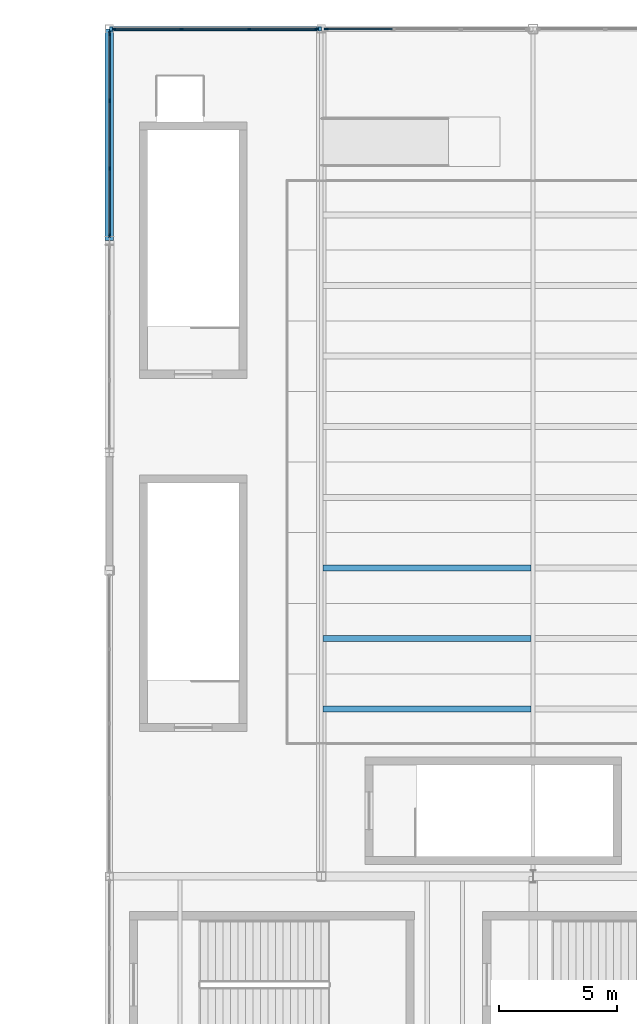
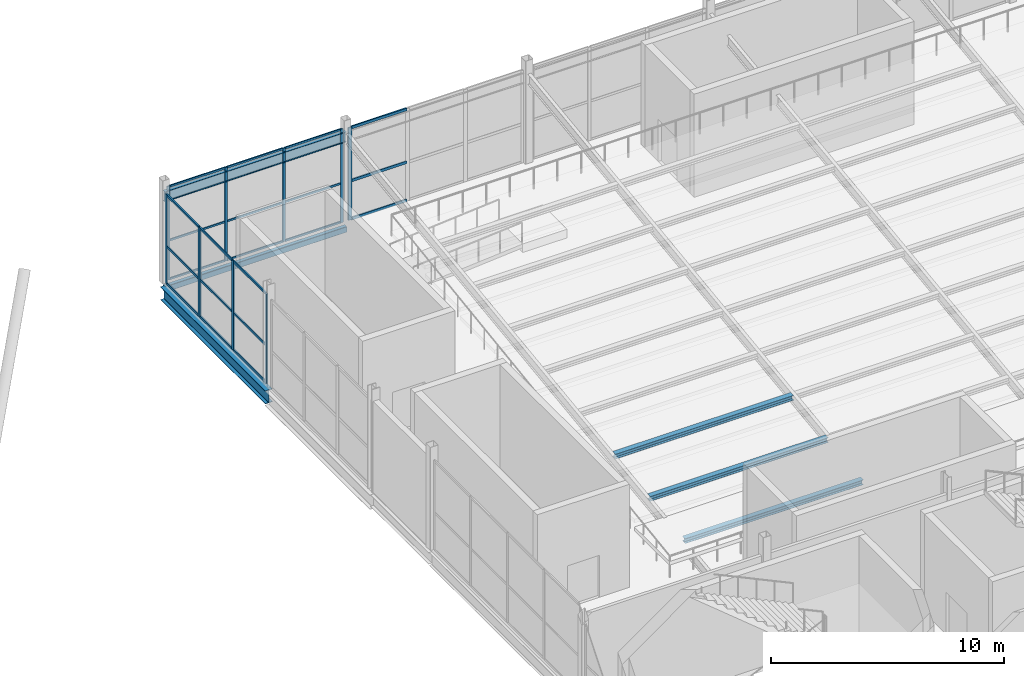
# One storey, part 60 of 119: 30 members, 6 beams, 3 elements without a shape of their own.
"""IFC4 building model written with IfcOpenShell, lengths in metres."""

from ifc_helpers import new_model, si_unit, direction, frame, origin, origin_2d, place, context, subcontext, project, spatial, rectangle, hollow_rectangle, i_section, extrude, material, layer, layer_set, material_profile, profile_set, type_object, element, aggregate, save


model = new_model("IFC4")

# Units and contexts
model_context = context("Model", 3, precision=1e-05, world=origin(), true_north=direction((0.0, 1.0)))
body_context = subcontext(model_context, "Body", "Model", "MODEL_VIEW")
ifc_project = project(units=[si_unit("LENGTHUNIT", "METRE"), si_unit("AREAUNIT", "SQUARE_METRE"), si_unit("VOLUMEUNIT", "CUBIC_METRE"), si_unit("PLANEANGLEUNIT", "RADIAN"), si_unit("MASSUNIT", "GRAM", prefix="KILO")], contexts=[model_context])

# Site, building, storey
site_placement = place(None, origin())
site = spatial("IfcSite", under=ifc_project, at=site_placement, CompositionType="ELEMENT")
building_placement = place(site_placement, origin())
building = spatial("IfcBuilding", under=site, at=building_placement, Name="Qamarlyn Nura Convention Centre", CompositionType="ELEMENT")
storey_placement = place(building_placement, frame((0.0, 0.0, 5.39990234375)))
storey = spatial("IfcBuildingStorey", under=building, at=storey_placement, Name="L01", CompositionType="ELEMENT", Elevation=5.39990234375)

# Beams
ifc_material_1 = material(Name="Steel ASTM A992", Category="steel")
ifc_material_profile_1 = material_profile(ifc_material_1, i_section(OverallWidth=0.35498046875, OverallDepth=0.695068359375, WebThickness=0.015380859375, FlangeThickness=0.02490234375, FilletRadius=0.01806640625, at=origin_2d()), Name="W690X217")
ifc_profile_set_1 = profile_set([ifc_material_profile_1], Name="Steel ASTM A992")
beam_type_1 = type_object("IfcBeamType", Name="BM-GIRD-690A", PredefinedType="BEAM", material=ifc_profile_set_1)
beam_1_placement = place(storey_placement, frame((144.0, 117.0, -0.58740234375), z_axis=(0.0, 1.0, 0.0), x_axis=(-1.0, 0.0, 0.0)))
element("IfcBeam", 1, at=beam_1_placement, inside=storey, type_object=beam_type_1, Name="L01 girder 12 P-Q", PredefinedType="BEAM", context=body_context, shape_type="SweptSolid", body=[
    extrude(i_section(OverallWidth=0.35498046875, OverallDepth=0.695068359375, WebThickness=0.015380859375, FlangeThickness=0.02490234375, FilletRadius=0.01806640625, at=origin_2d()), origin(), (0.0, 0.0, 1.0), 9.0),
])
ifc_material_profile_2 = material_profile(ifc_material_1, i_section(OverallWidth=0.25390625, OverallDepth=0.2529296875, WebThickness=0.008544921875, FlangeThickness=0.01416015625, FilletRadius=0.012939453125, at=origin_2d()), Name="W250X73")
ifc_profile_set_2 = profile_set([ifc_material_profile_2], Name="Steel ASTM A992")
beam_type_2 = type_object("IfcBeamType", Name="BM-PURL-250", PredefinedType="BEAM", material=ifc_profile_set_2)
for number, where, z_axis, x_axis, name in (
    (2, (153.0830078125, 97.10009765625, 0.77685546875), (1.0, 0.0, 0.0), (0.0, 1.0, 0.0), "Plenary tier cross beam 1-153"),
    (3, (153.0830078125, 100.10009765625, 1.172607421875), (1.0, 0.0, 0.0), (0.0, 1.0, 0.0), "Plenary tier cross beam 2-153"),
    (4, (153.0830078125, 103.10009765625, 1.568603515625), (1.0, 0.0, 0.0), (0.0, 1.0, 0.0), "Plenary tier cross beam 3-153"),
):
    element("IfcBeam", number, at=place(storey_placement, frame(where, z_axis=z_axis, x_axis=x_axis)), inside=storey, type_object=beam_type_2, Name=name, PredefinedType="BEAM", context=body_context, shape_type="SweptSolid", body=[
        extrude(i_section(OverallWidth=0.25390625, OverallDepth=0.2529296875, WebThickness=0.008544921875, FlangeThickness=0.01416015625, FilletRadius=0.012939453125, at=origin_2d()), origin(), (0.0, 0.0, 1.0), 8.833984375),
    ])
ifc_material_profile_3 = material_profile(ifc_material_1, i_section(OverallWidth=0.166015625, OverallDepth=0.534912109375, WebThickness=0.01025390625, FlangeThickness=0.0166015625, FilletRadius=0.013916015625, at=origin_2d()), Name="W530X85")
ifc_profile_set_3 = profile_set([ifc_material_profile_3], Name="Steel ASTM A992")
beam_type_3 = type_object("IfcBeamType", Name="BM-RAKER-01", PredefinedType="BEAM", material=ifc_profile_set_3)
beam_2_placement = place(storey_placement, frame((144.0, 126.0, 4.4501953125), z_axis=(1.0, 0.0, 0.0), x_axis=(0.0, 1.0, 0.0)))
element("IfcBeam", 5, at=beam_2_placement, inside=storey, type_object=beam_type_3, Name="Plenary stand rear header girder 144-153", PredefinedType="BEAM", context=body_context, shape_type="SweptSolid", body=[
    extrude(i_section(OverallWidth=0.166015625, OverallDepth=0.534912109375, WebThickness=0.01025390625, FlangeThickness=0.0166015625, FilletRadius=0.013916015625, at=origin_2d()), origin(), (0.0, 0.0, 1.0), 9.0),
])
ifc_material_2 = material(Name="Steel ASTM A500 Grade C", Category="steel")
ifc_material_profile_4 = material_profile(ifc_material_2, hollow_rectangle(XDim=0.199951171875, YDim=0.300048828125, WallThickness=0.012451171875, InnerFilletRadius=0.012451171875, OuterFilletRadius=0.02490234375, at=origin_2d()), Name="HSS300X200X12.5")
ifc_profile_set_4 = profile_set([ifc_material_profile_4], Name="Steel ASTM A500 Grade C")
beam_type_4 = type_object("IfcBeamType", Name="BM-SPAN-HSS", PredefinedType="SPANDREL", material=ifc_profile_set_4)
beam_3_placement = place(storey_placement, frame((144.0, 126.0, -0.389892578125), z_axis=(1.0, 0.0, 0.0), x_axis=(0.0, 1.0, 0.0)))
element("IfcBeam", 6, at=beam_3_placement, inside=storey, type_object=beam_type_4, Name="L01 girder Q 12-13", PredefinedType="SPANDREL", context=body_context, shape_type="SweptSolid", body=[
    extrude(hollow_rectangle(XDim=0.199951171875, YDim=0.300048828125, WallThickness=0.012451171875, InnerFilletRadius=0.012451171875, OuterFilletRadius=0.02490234375, at=origin_2d()), origin(), (0.0, 0.0, 1.0), 9.0),
])

# Curtain wall, members
ifc_material_3 = material(Name="Double-silver low-E insulated glass", Category="glass")
ifc_layer_1 = layer(ifc_material_3, 0.179931640625, Name="CW-UNIT-87")
ifc_layer_set_1 = layer_set([ifc_layer_1], Name="Double-silver low-E insulated glass")
curtain_wall_type_1 = type_object("IfcCurtainWallType", Name="CW-UNIT-87", PredefinedType="NOTDEFINED", material=ifc_layer_set_1)
curtain_wall_1_placement = place(storey_placement, origin())
curtain_wall_1 = element("IfcCurtainWall", 7, at=curtain_wall_1_placement, inside=storey, type_object=curtain_wall_type_1, Name="L01 unitised curtain wall PLN-N1-1", PredefinedType="NOTDEFINED")
ifc_material_4 = material(Name="Champagne-anodised marine aluminium", Category="aluminium")
ifc_material_profile_5 = material_profile(ifc_material_4, rectangle(XDim=0.06005859375, YDim=0.139892578125, at=origin_2d()), Name="ALU MULLION 60x140")
ifc_profile_set_5 = profile_set([ifc_material_profile_5], Name="Champagne-anodised marine aluminium")
member_type_1 = type_object("IfcMemberType", Name="CWM-140", PredefinedType="MULLION", material=ifc_profile_set_5)
member_1_placement = place(storey_placement, frame((144.205078125, 126.0, 0.0), z_axis=(0.0, 0.0, 1.0), x_axis=(0.0, 1.0, 0.0)))
member_1 = element("IfcMember", 8, at=member_1_placement, type_object=member_type_1, Name="CW87 mullion 1", PredefinedType="MULLION", context=body_context, shape_type="SweptSolid", body=[
    extrude(rectangle(XDim=0.06005859375, YDim=0.139892578125, at=origin_2d()), origin(), (0.0, 0.0, 1.0), 4.91015625),
])
member_2_placement = place(storey_placement, frame((147.058349609375, 126.0, 0.0), z_axis=(0.0, 0.0, 1.0), x_axis=(0.0, 1.0, 0.0)))
member_2 = element("IfcMember", 9, at=member_2_placement, type_object=member_type_1, Name="CW87 mullion 2", PredefinedType="MULLION", context=body_context, shape_type="SweptSolid", body=[
    extrude(rectangle(XDim=0.06005859375, YDim=0.139892578125, at=origin_2d()), origin(), (0.0, 0.0, 1.0), 4.91015625),
])
member_3_placement = place(storey_placement, frame((149.941650390625, 126.0, 0.0), z_axis=(0.0, 0.0, 1.0), x_axis=(0.0, 1.0, 0.0)))
member_3 = element("IfcMember", 10, at=member_3_placement, type_object=member_type_1, Name="CW87 mullion 3", PredefinedType="MULLION", context=body_context, shape_type="SweptSolid", body=[
    extrude(rectangle(XDim=0.06005859375, YDim=0.139892578125, at=origin_2d()), origin(), (0.0, 0.0, 1.0), 4.91015625),
])
member_4_placement = place(storey_placement, frame((152.794921875, 126.0, 0.0), z_axis=(0.0, 0.0, 1.0), x_axis=(0.0, 1.0, 0.0)))
member_4 = element("IfcMember", 11, at=member_4_placement, type_object=member_type_1, Name="CW87 mullion 4", PredefinedType="MULLION", context=body_context, shape_type="SweptSolid", body=[
    extrude(rectangle(XDim=0.06005859375, YDim=0.139892578125, at=origin_2d()), origin(), (0.0, 0.0, 1.0), 4.91015625),
])

ifc_layer_2 = layer(ifc_material_3, 0.179931640625, Name="CW-UNIT-86")
ifc_layer_set_2 = layer_set([ifc_layer_2], Name="Double-silver low-E insulated glass")
curtain_wall_type_2 = type_object("IfcCurtainWallType", Name="CW-UNIT-86", PredefinedType="NOTDEFINED", material=ifc_layer_set_2)
curtain_wall_2_placement = place(storey_placement, origin())
curtain_wall_2 = element("IfcCurtainWall", 12, at=curtain_wall_2_placement, inside=storey, type_object=curtain_wall_type_2, Name="L01 unitised curtain wall PLW-117-1", PredefinedType="NOTDEFINED")
ifc_material_profile_6 = material_profile(ifc_material_4, rectangle(XDim=0.06494140625, YDim=0.159912109375, at=origin_2d()), Name="ALU MULLION 65x160")
ifc_profile_set_6 = profile_set([ifc_material_profile_6], Name="Champagne-anodised marine aluminium")
member_type_2 = type_object("IfcMemberType", Name="CWM-160", PredefinedType="MULLION", material=ifc_profile_set_6)
member_5_placement = place(storey_placement, frame((144.0, 117.218505859375, 0.0), z_axis=(0.0, 0.0, 1.0), x_axis=(-1.0, 0.0, 0.0)))
member_5 = element("IfcMember", 13, at=member_5_placement, type_object=member_type_2, Name="CW86 mullion 1", PredefinedType="MULLION", context=body_context, shape_type="SweptSolid", body=[
    extrude(rectangle(XDim=0.06494140625, YDim=0.159912109375, at=origin_2d()), origin(), (0.0, 0.0, 1.0), 4.690185546875),
])
member_6_placement = place(storey_placement, frame((144.0, 120.065673828125, 0.0), z_axis=(0.0, 0.0, 1.0), x_axis=(-1.0, 0.0, 0.0)))
member_6 = element("IfcMember", 14, at=member_6_placement, type_object=member_type_2, Name="CW86 mullion 2", PredefinedType="MULLION", context=body_context, shape_type="SweptSolid", body=[
    extrude(rectangle(XDim=0.06494140625, YDim=0.159912109375, at=origin_2d()), origin(), (0.0, 0.0, 1.0), 4.690185546875),
])
member_7_placement = place(storey_placement, frame((144.0, 122.9453125, 0.0), z_axis=(0.0, 0.0, 1.0), x_axis=(-1.0, 0.0, 0.0)))
member_7 = element("IfcMember", 15, at=member_7_placement, type_object=member_type_2, Name="CW86 mullion 3", PredefinedType="MULLION", context=body_context, shape_type="SweptSolid", body=[
    extrude(rectangle(XDim=0.06494140625, YDim=0.159912109375, at=origin_2d()), origin(), (0.0, 0.0, 1.0), 4.690185546875),
])
member_8_placement = place(storey_placement, frame((144.0, 125.79248046875, 0.0), z_axis=(0.0, 0.0, 1.0), x_axis=(-1.0, 0.0, 0.0)))
member_8 = element("IfcMember", 16, at=member_8_placement, type_object=member_type_2, Name="CW86 mullion 4", PredefinedType="MULLION", context=body_context, shape_type="SweptSolid", body=[
    extrude(rectangle(XDim=0.06494140625, YDim=0.159912109375, at=origin_2d()), origin(), (0.0, 0.0, 1.0), 4.690185546875),
])

# Curtain wall, member
ifc_layer_3 = layer(ifc_material_3, 0.179931640625, Name="CW-UNIT-75")
ifc_layer_set_3 = layer_set([ifc_layer_3], Name="Double-silver low-E insulated glass")
curtain_wall_type_3 = type_object("IfcCurtainWallType", Name="CW-UNIT-75", PredefinedType="NOTDEFINED", material=ifc_layer_set_3)
curtain_wall_3_placement = place(storey_placement, origin())
curtain_wall_3 = element("IfcCurtainWall", 17, at=curtain_wall_3_placement, inside=storey, type_object=curtain_wall_type_3, Name="L01 unitised curtain wall PLN-N2-1", PredefinedType="NOTDEFINED")
ifc_material_profile_7 = material_profile(ifc_material_4, rectangle(XDim=0.070068359375, YDim=0.179931640625, at=origin_2d()), Name="ALU MULLION 70x180")
ifc_profile_set_7 = profile_set([ifc_material_profile_7], Name="Champagne-anodised marine aluminium")
member_type_3 = type_object("IfcMemberType", Name="CWM-180", PredefinedType="MULLION", material=ifc_profile_set_7)
member_9_placement = place(storey_placement, frame((153.2099609375, 126.0, 0.0), z_axis=(0.0, 0.0, 1.0), x_axis=(0.0, 1.0, 0.0)))
member_9 = element("IfcMember", 18, at=member_9_placement, type_object=member_type_3, Name="CW75 mullion 1", PredefinedType="MULLION", context=body_context, shape_type="SweptSolid", body=[
    extrude(rectangle(XDim=0.070068359375, YDim=0.179931640625, at=origin_2d()), origin(), (0.0, 0.0, 1.0), 4.84619140625),
])

# Member
ifc_material_profile_8 = material_profile(ifc_material_4, rectangle(XDim=0.06005859375, YDim=0.10009765625, at=origin_2d()), Name="ALU TRANSOM 60x100")
ifc_profile_set_8 = profile_set([ifc_material_profile_8], Name="Champagne-anodised marine aluminium")
member_type_4 = type_object("IfcMemberType", Name="CWT-100", PredefinedType="USERDEFINED", material=ifc_profile_set_8)
member_10_placement = place(storey_placement, frame((144.235107421875, 126.0, 0.030029296875), z_axis=(1.0, 0.0, 0.0), x_axis=(0.0, 1.0, 0.0)))
member_10 = element("IfcMember", 19, at=member_10_placement, type_object=member_type_4, Name="CW87 transom 1.1", ObjectType="TRANSOM", PredefinedType="USERDEFINED", context=body_context, shape_type="SweptSolid", body=[
    extrude(rectangle(XDim=0.06005859375, YDim=0.10009765625, at=origin_2d()), origin(), (0.0, 0.0, 1.0), 2.793212890625),
])

member_11_placement = place(storey_placement, frame((144.235107421875, 126.0, 2.06201171875), z_axis=(1.0, 0.0, 0.0), x_axis=(0.0, 1.0, 0.0)))
member_11 = element("IfcMember", 20, at=member_11_placement, type_object=member_type_4, Name="CW87 transom 1.2", ObjectType="TRANSOM", PredefinedType="USERDEFINED", context=body_context, shape_type="SweptSolid", body=[
    extrude(rectangle(XDim=0.06005859375, YDim=0.10009765625, at=origin_2d()), origin(), (0.0, 0.0, 1.0), 2.793212890625),
])

member_12_placement = place(storey_placement, frame((144.235107421875, 126.0, 4.880126953125), z_axis=(1.0, 0.0, 0.0), x_axis=(0.0, 1.0, 0.0)))
member_12 = element("IfcMember", 21, at=member_12_placement, type_object=member_type_4, Name="CW87 transom 1.3", ObjectType="TRANSOM", PredefinedType="USERDEFINED", context=body_context, shape_type="SweptSolid", body=[
    extrude(rectangle(XDim=0.06005859375, YDim=0.10009765625, at=origin_2d()), origin(), (0.0, 0.0, 1.0), 2.793212890625),
])

member_13_placement = place(storey_placement, frame((147.08837890625, 126.0, 0.030029296875), z_axis=(1.0, 0.0, 0.0), x_axis=(0.0, 1.0, 0.0)))
member_13 = element("IfcMember", 22, at=member_13_placement, type_object=member_type_4, Name="CW87 transom 2.1", ObjectType="TRANSOM", PredefinedType="USERDEFINED", context=body_context, shape_type="SweptSolid", body=[
    extrude(rectangle(XDim=0.06005859375, YDim=0.10009765625, at=origin_2d()), origin(), (0.0, 0.0, 1.0), 2.8232421875),
])

member_14_placement = place(storey_placement, frame((147.08837890625, 126.0, 2.06201171875), z_axis=(1.0, 0.0, 0.0), x_axis=(0.0, 1.0, 0.0)))
member_14 = element("IfcMember", 23, at=member_14_placement, type_object=member_type_4, Name="CW87 transom 2.2", ObjectType="TRANSOM", PredefinedType="USERDEFINED", context=body_context, shape_type="SweptSolid", body=[
    extrude(rectangle(XDim=0.06005859375, YDim=0.10009765625, at=origin_2d()), origin(), (0.0, 0.0, 1.0), 2.8232421875),
])

member_15_placement = place(storey_placement, frame((147.08837890625, 126.0, 4.880126953125), z_axis=(1.0, 0.0, 0.0), x_axis=(0.0, 1.0, 0.0)))
member_15 = element("IfcMember", 24, at=member_15_placement, type_object=member_type_4, Name="CW87 transom 2.3", ObjectType="TRANSOM", PredefinedType="USERDEFINED", context=body_context, shape_type="SweptSolid", body=[
    extrude(rectangle(XDim=0.06005859375, YDim=0.10009765625, at=origin_2d()), origin(), (0.0, 0.0, 1.0), 2.8232421875),
])

member_16_placement = place(storey_placement, frame((149.9716796875, 126.0, 0.030029296875), z_axis=(1.0, 0.0, 0.0), x_axis=(0.0, 1.0, 0.0)))
member_16 = element("IfcMember", 25, at=member_16_placement, type_object=member_type_4, Name="CW87 transom 3.1", ObjectType="TRANSOM", PredefinedType="USERDEFINED", context=body_context, shape_type="SweptSolid", body=[
    extrude(rectangle(XDim=0.06005859375, YDim=0.10009765625, at=origin_2d()), origin(), (0.0, 0.0, 1.0), 2.793212890625),
])

member_17_placement = place(storey_placement, frame((149.9716796875, 126.0, 2.06201171875), z_axis=(1.0, 0.0, 0.0), x_axis=(0.0, 1.0, 0.0)))
member_17 = element("IfcMember", 26, at=member_17_placement, type_object=member_type_4, Name="CW87 transom 3.2", ObjectType="TRANSOM", PredefinedType="USERDEFINED", context=body_context, shape_type="SweptSolid", body=[
    extrude(rectangle(XDim=0.06005859375, YDim=0.10009765625, at=origin_2d()), origin(), (0.0, 0.0, 1.0), 2.793212890625),
])

member_18_placement = place(storey_placement, frame((149.9716796875, 126.0, 4.880126953125), z_axis=(1.0, 0.0, 0.0), x_axis=(0.0, 1.0, 0.0)))
member_18 = element("IfcMember", 27, at=member_18_placement, type_object=member_type_4, Name="CW87 transom 3.3", ObjectType="TRANSOM", PredefinedType="USERDEFINED", context=body_context, shape_type="SweptSolid", body=[
    extrude(rectangle(XDim=0.06005859375, YDim=0.10009765625, at=origin_2d()), origin(), (0.0, 0.0, 1.0), 2.793212890625),
])

aggregate(curtain_wall_1, [member_1, member_2, member_3, member_4, member_10, member_11, member_12, member_13, member_14, member_15, member_16, member_17, member_18])

ifc_material_profile_9 = material_profile(ifc_material_4, rectangle(XDim=0.06494140625, YDim=0.1201171875, at=origin_2d()), Name="ALU TRANSOM 65x120")
ifc_profile_set_9 = profile_set([ifc_material_profile_9], Name="Champagne-anodised marine aluminium")
member_type_5 = type_object("IfcMemberType", Name="CWT-120", PredefinedType="USERDEFINED", material=ifc_profile_set_9)
member_19_placement = place(storey_placement, frame((144.0, 117.2509765625, 0.03271484375), z_axis=(0.0, 1.0, 0.0), x_axis=(-1.0, 0.0, 0.0)))
member_19 = element("IfcMember", 28, at=member_19_placement, type_object=member_type_5, Name="CW86 transom 1.1", ObjectType="TRANSOM", PredefinedType="USERDEFINED", context=body_context, shape_type="SweptSolid", body=[
    extrude(rectangle(XDim=0.06494140625, YDim=0.1201171875, at=origin_2d()), origin(), (0.0, 0.0, 1.0), 2.7822265625),
])

member_20_placement = place(storey_placement, frame((144.0, 117.2509765625, 1.97021484375), z_axis=(0.0, 1.0, 0.0), x_axis=(-1.0, 0.0, 0.0)))
member_20 = element("IfcMember", 29, at=member_20_placement, type_object=member_type_5, Name="CW86 transom 1.2", ObjectType="TRANSOM", PredefinedType="USERDEFINED", context=body_context, shape_type="SweptSolid", body=[
    extrude(rectangle(XDim=0.06494140625, YDim=0.1201171875, at=origin_2d()), origin(), (0.0, 0.0, 1.0), 2.7822265625),
])

member_21_placement = place(storey_placement, frame((144.0, 117.2509765625, 4.65771484375), z_axis=(0.0, 1.0, 0.0), x_axis=(-1.0, 0.0, 0.0)))
member_21 = element("IfcMember", 30, at=member_21_placement, type_object=member_type_5, Name="CW86 transom 1.3", ObjectType="TRANSOM", PredefinedType="USERDEFINED", context=body_context, shape_type="SweptSolid", body=[
    extrude(rectangle(XDim=0.06494140625, YDim=0.1201171875, at=origin_2d()), origin(), (0.0, 0.0, 1.0), 2.7822265625),
])

member_22_placement = place(storey_placement, frame((144.0, 120.09814453125, 0.03271484375), z_axis=(0.0, 1.0, 0.0), x_axis=(-1.0, 0.0, 0.0)))
member_22 = element("IfcMember", 31, at=member_22_placement, type_object=member_type_5, Name="CW86 transom 2.1", ObjectType="TRANSOM", PredefinedType="USERDEFINED", context=body_context, shape_type="SweptSolid", body=[
    extrude(rectangle(XDim=0.06494140625, YDim=0.1201171875, at=origin_2d()), origin(), (0.0, 0.0, 1.0), 2.814697265625),
])

member_23_placement = place(storey_placement, frame((144.0, 120.09814453125, 1.97021484375), z_axis=(0.0, 1.0, 0.0), x_axis=(-1.0, 0.0, 0.0)))
member_23 = element("IfcMember", 32, at=member_23_placement, type_object=member_type_5, Name="CW86 transom 2.2", ObjectType="TRANSOM", PredefinedType="USERDEFINED", context=body_context, shape_type="SweptSolid", body=[
    extrude(rectangle(XDim=0.06494140625, YDim=0.1201171875, at=origin_2d()), origin(), (0.0, 0.0, 1.0), 2.814697265625),
])

member_24_placement = place(storey_placement, frame((144.0, 120.09814453125, 4.65771484375), z_axis=(0.0, 1.0, 0.0), x_axis=(-1.0, 0.0, 0.0)))
member_24 = element("IfcMember", 33, at=member_24_placement, type_object=member_type_5, Name="CW86 transom 2.3", ObjectType="TRANSOM", PredefinedType="USERDEFINED", context=body_context, shape_type="SweptSolid", body=[
    extrude(rectangle(XDim=0.06494140625, YDim=0.1201171875, at=origin_2d()), origin(), (0.0, 0.0, 1.0), 2.814697265625),
])

member_25_placement = place(storey_placement, frame((144.0, 122.977783203125, 0.03271484375), z_axis=(0.0, 1.0, 0.0), x_axis=(-1.0, 0.0, 0.0)))
member_25 = element("IfcMember", 34, at=member_25_placement, type_object=member_type_5, Name="CW86 transom 3.1", ObjectType="TRANSOM", PredefinedType="USERDEFINED", context=body_context, shape_type="SweptSolid", body=[
    extrude(rectangle(XDim=0.06494140625, YDim=0.1201171875, at=origin_2d()), origin(), (0.0, 0.0, 1.0), 2.7822265625),
])

member_26_placement = place(storey_placement, frame((144.0, 122.977783203125, 1.97021484375), z_axis=(0.0, 1.0, 0.0), x_axis=(-1.0, 0.0, 0.0)))
member_26 = element("IfcMember", 35, at=member_26_placement, type_object=member_type_5, Name="CW86 transom 3.2", ObjectType="TRANSOM", PredefinedType="USERDEFINED", context=body_context, shape_type="SweptSolid", body=[
    extrude(rectangle(XDim=0.06494140625, YDim=0.1201171875, at=origin_2d()), origin(), (0.0, 0.0, 1.0), 2.7822265625),
])

member_27_placement = place(storey_placement, frame((144.0, 122.977783203125, 4.65771484375), z_axis=(0.0, 1.0, 0.0), x_axis=(-1.0, 0.0, 0.0)))
member_27 = element("IfcMember", 36, at=member_27_placement, type_object=member_type_5, Name="CW86 transom 3.3", ObjectType="TRANSOM", PredefinedType="USERDEFINED", context=body_context, shape_type="SweptSolid", body=[
    extrude(rectangle(XDim=0.06494140625, YDim=0.1201171875, at=origin_2d()), origin(), (0.0, 0.0, 1.0), 2.7822265625),
])

aggregate(curtain_wall_2, [member_5, member_6, member_7, member_8, member_19, member_20, member_21, member_22, member_23, member_24, member_25, member_26, member_27])

ifc_material_profile_10 = material_profile(ifc_material_4, rectangle(XDim=0.070068359375, YDim=0.139892578125, at=origin_2d()), Name="ALU TRANSOM 70x140")
ifc_profile_set_10 = profile_set([ifc_material_profile_10], Name="Champagne-anodised marine aluminium")
member_type_6 = type_object("IfcMemberType", Name="CWT-140", PredefinedType="USERDEFINED", material=ifc_profile_set_10)
member_28_placement = place(storey_placement, frame((153.2451171875, 126.0, 0.03515625), z_axis=(1.0, 0.0, 0.0), x_axis=(0.0, 1.0, 0.0)))
member_28 = element("IfcMember", 37, at=member_28_placement, type_object=member_type_6, Name="CW75 transom 1.1", ObjectType="TRANSOM", PredefinedType="USERDEFINED", context=body_context, shape_type="SweptSolid", body=[
    extrude(rectangle(XDim=0.070068359375, YDim=0.139892578125, at=origin_2d()), origin(), (0.0, 0.0, 1.0), 2.769775390625),
])

member_29_placement = place(storey_placement, frame((153.2451171875, 126.0, 2.03515625), z_axis=(1.0, 0.0, 0.0), x_axis=(0.0, 1.0, 0.0)))
member_29 = element("IfcMember", 38, at=member_29_placement, type_object=member_type_6, Name="CW75 transom 1.2", ObjectType="TRANSOM", PredefinedType="USERDEFINED", context=body_context, shape_type="SweptSolid", body=[
    extrude(rectangle(XDim=0.070068359375, YDim=0.139892578125, at=origin_2d()), origin(), (0.0, 0.0, 1.0), 2.769775390625),
])

member_30_placement = place(storey_placement, frame((153.2451171875, 126.0, 4.81103515625), z_axis=(1.0, 0.0, 0.0), x_axis=(0.0, 1.0, 0.0)))
member_30 = element("IfcMember", 39, at=member_30_placement, type_object=member_type_6, Name="CW75 transom 1.3", ObjectType="TRANSOM", PredefinedType="USERDEFINED", context=body_context, shape_type="SweptSolid", body=[
    extrude(rectangle(XDim=0.070068359375, YDim=0.139892578125, at=origin_2d()), origin(), (0.0, 0.0, 1.0), 2.769775390625),
])

aggregate(curtain_wall_3, [member_9, member_28, member_29, member_30])

save(model, "model.ifc")
